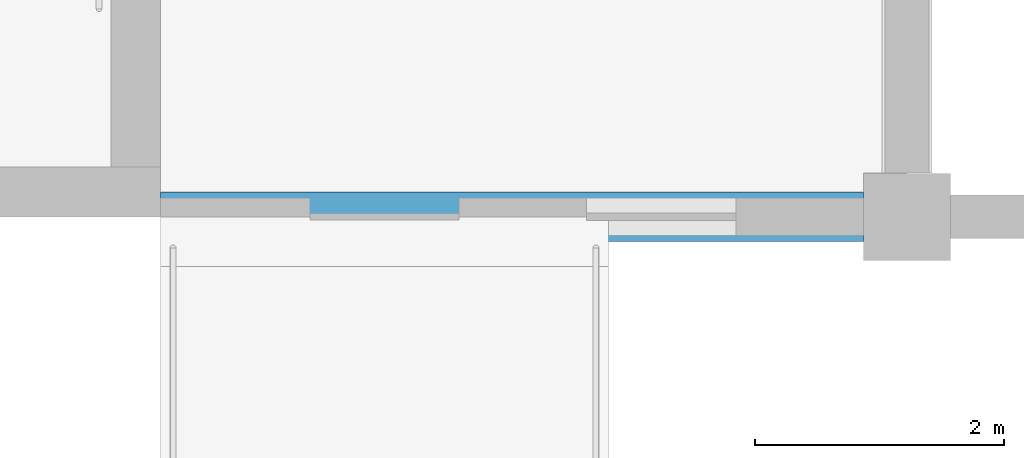
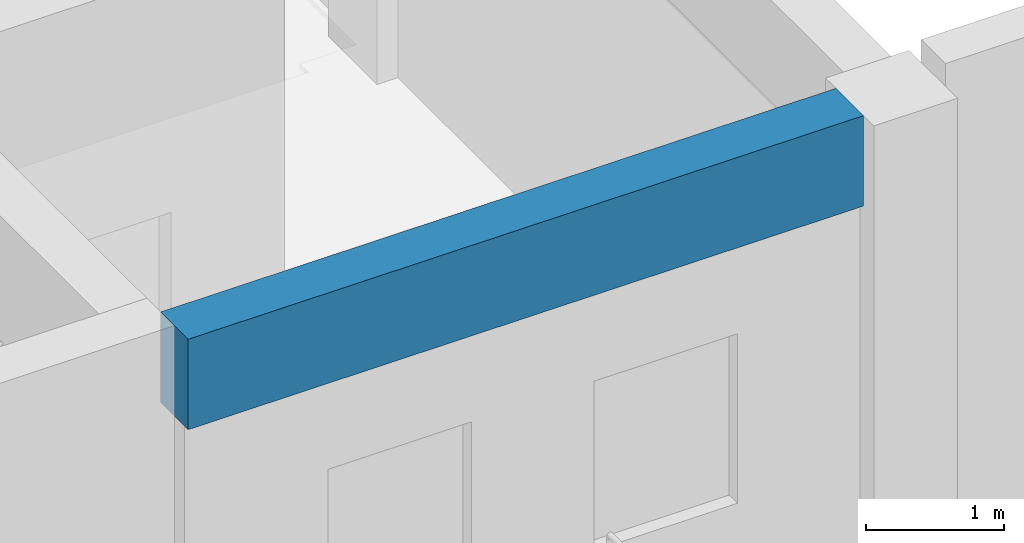
# One storey, part 32 of 101: 1 beam.
"""IFC4 building model written with IfcOpenShell, lengths in metres."""

from ifc_helpers import new_model, si_unit, direction, frame, origin, origin_2d, place, context, subcontext, project, spatial, rectangle, extrude, material, material_profile, profile_set, type_object, element, save


model = new_model("IFC4")

# Units and contexts
model_context = context("Model", 3, precision=1e-05, world=origin(), true_north=direction((0.0, 1.0)))
body_context = subcontext(model_context, "Body", "Model", "MODEL_VIEW")
ifc_project = project(units=[si_unit("LENGTHUNIT", "METRE"), si_unit("AREAUNIT", "SQUARE_METRE"), si_unit("VOLUMEUNIT", "CUBIC_METRE"), si_unit("PLANEANGLEUNIT", "RADIAN"), si_unit("MASSUNIT", "GRAM", prefix="KILO")], contexts=[model_context])

# Site, building, storey
site_placement = place(None, origin())
site = spatial("IfcSite", under=ifc_project, at=site_placement, CompositionType="ELEMENT")
building_placement = place(site_placement, origin())
building = spatial("IfcBuilding", under=site, at=building_placement, Name="Laocheng Heights Fire and Rescue Headquarters", CompositionType="ELEMENT")
storey_placement = place(building_placement, frame((0.0, 0.0, 8.39990234375)))
storey = spatial("IfcBuildingStorey", under=building, at=storey_placement, Name="L02", CompositionType="ELEMENT", Elevation=8.39990234375)

# Beam
ifc_material = material(Name="Concrete C40", Category="concrete")
ifc_material_profile = material_profile(ifc_material, rectangle(XDim=0.39990234375, YDim=0.800048828125, at=origin_2d()), Name="RC BEAM 400x800 FOYER")
ifc_profile_set = profile_set([ifc_material_profile], Name="Concrete C40")
beam_type = type_object("IfcBeamType", Name="RC BEAM 400x800 FOYER", PredefinedType="BEAM", material=ifc_profile_set)
beam_placement = place(storey_placement, frame((6.0, 36.0, 3.60009765625), z_axis=(1.0, 0.0, 0.0), x_axis=(0.0, 1.0, 0.0)))
element("IfcBeam", 1, at=beam_placement, inside=storey, type_object=beam_type, Name="Foyer beam L02", PredefinedType="BEAM", context=body_context, shape_type="SweptSolid", body=[
    extrude(rectangle(XDim=0.39990234375, YDim=0.800048828125, at=origin_2d()), origin(), (0.0, 0.0, 1.0), 5.64990234375),
])

save(model, "model.ifc")
